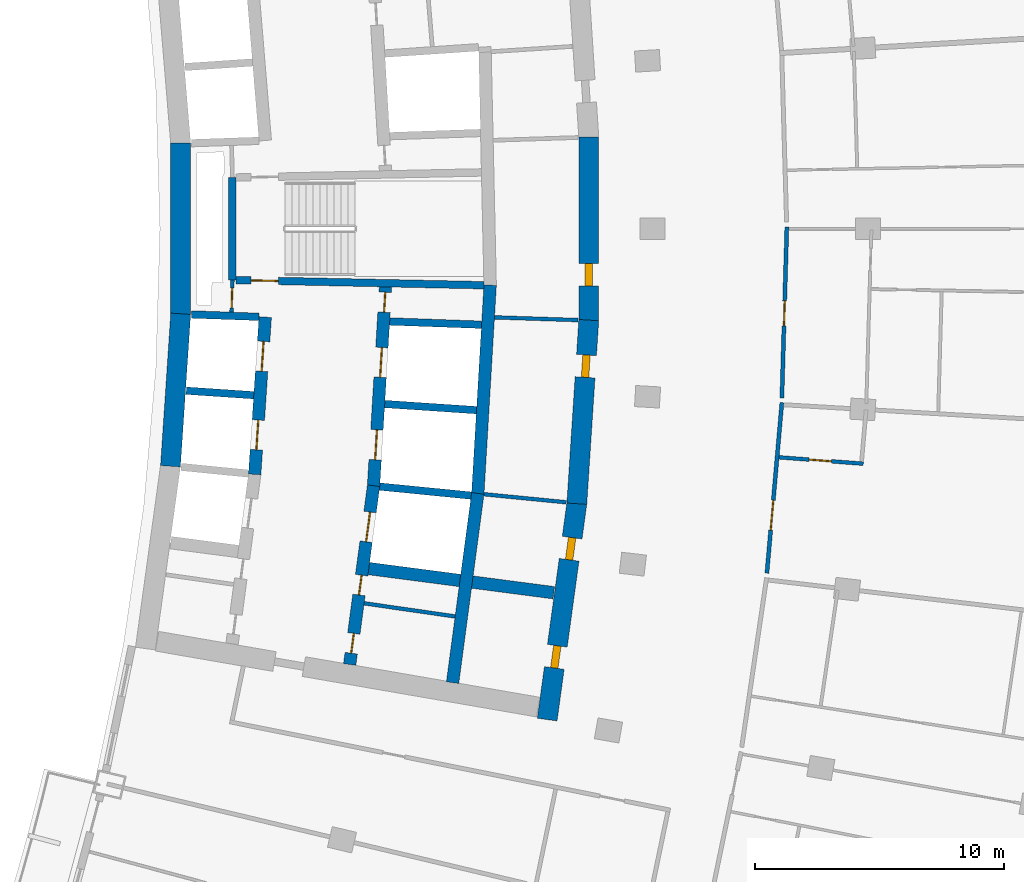
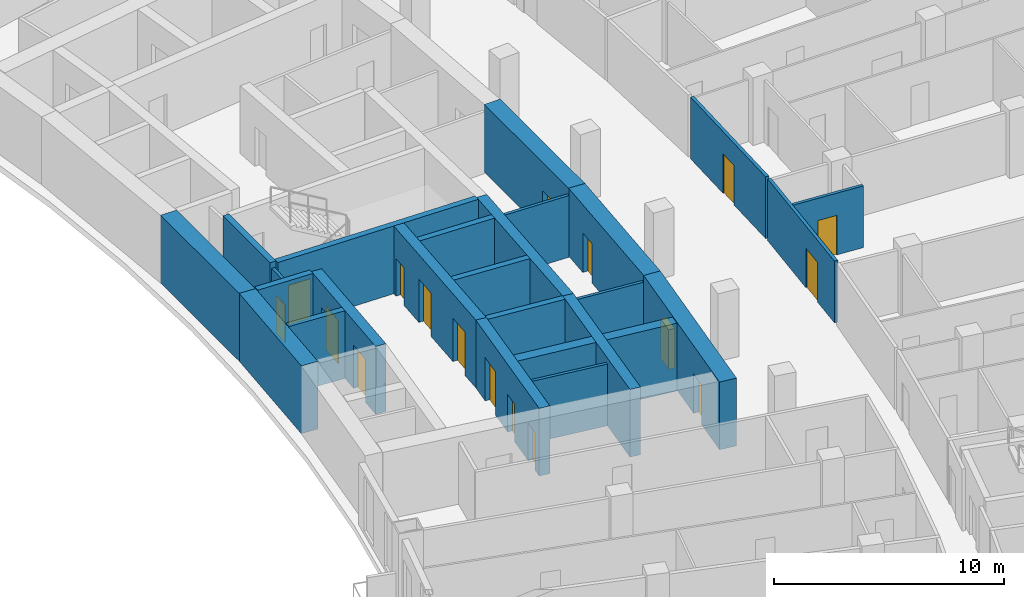
# One storey, part 16 of 25: 26 walls, 17 doors, 17 openings.
"""IFC4 building model written with IfcOpenShell, lengths in metres."""

from ifc_helpers import new_model, si_unit, direction, frame, frame_2d, origin, place, context, subcontext, project, spatial, rectangle, extrude, material, layer, layer_set, type_object, element, fill, save


model = new_model("IFC4")

# Units and contexts
model_context = context("Model", 3, precision=1e-05, world=origin(), true_north=direction((0.0, 1.0)))
body_context = subcontext(model_context, "Body", "Model", "MODEL_VIEW")
ifc_project = project(units=[si_unit("LENGTHUNIT", "METRE"), si_unit("AREAUNIT", "SQUARE_METRE"), si_unit("VOLUMEUNIT", "CUBIC_METRE"), si_unit("PLANEANGLEUNIT", "RADIAN"), si_unit("MASSUNIT", "GRAM", prefix="KILO")], contexts=[model_context])

# Site, building, storey
site_placement = place(None, origin())
site = spatial("IfcSite", under=ifc_project, at=site_placement, CompositionType="ELEMENT")
building_placement = place(site_placement, origin())
building = spatial("IfcBuilding", under=site, at=building_placement, Name="Alderwake Tower", CompositionType="ELEMENT")
storey_placement = place(building_placement, frame((0.0, 0.0, 86.0)))
storey = spatial("IfcBuildingStorey", under=building, at=storey_placement, Name="L20", CompositionType="ELEMENT", Elevation=86.0)

# Wall, opening, door
ifc_material_1 = material(Name="Gypsum shaft wall system, rated")
ifc_layer_1 = layer(ifc_material_1, 0.14990234375)
ifc_layer_set_1 = layer_set([ifc_layer_1], Name="Core room partition 150")
wall_type_1 = type_object("IfcWallType", Name="Core room partition 150", PredefinedType="PARTITIONING", material=ifc_layer_set_1)
wall_1_placement = place(storey_placement, frame((18.918701171875, 58.94384765625, 0.0), z_axis=(0.0, 0.0, 1.0), x_axis=(-0.027348257573, -0.999625966453, 0.0)))
wall_1 = element("IfcWall", 1, at=wall_1_placement, inside=storey, type_object=wall_type_1, Name="CW/L20/PA+24_-37", PredefinedType="PARTITIONING", context=body_context, shape_type="SweptSolid", body=[
    extrude(rectangle(XDim=1.29443359375, YDim=0.14990234375, at=frame_2d((0.647216796875, 0.0))), origin(), (0.0, 0.0, 1.0), 3.280029296875),
])
opening_1_placement = place(wall_1_placement, frame((0.322998046875, 0.0, 0.0)))
opening_1 = element("IfcOpeningElement", 2, at=opening_1_placement, cuts=wall_1, Name="Opening C004", PredefinedType="OPENING", context=body_context, shape_type="SweptSolid", body=[
    extrude(rectangle(XDim=0.800048828125, YDim=2.0, at=frame_2d((0.39990234375, 1.0))), frame((0.0, 0.0849609375, 0.0), z_axis=(0.0, -1.0, 0.0), x_axis=(1.0, 0.0, 0.0)), (0.0, 0.0, 1.0), 0.169921875),
])
ifc_material_2 = material(Name="Painted steel leaf, rated", Category="steel")
door_type_1 = type_object("IfcDoorType", Name="Riser access door 800", OperationType="SINGLE_SWING_LEFT", PredefinedType="DOOR", material=ifc_material_2)
door_1_placement = place(opening_1_placement, origin())
door_1 = element("IfcDoor", 3, at=door_1_placement, inside=storey, type_object=door_type_1, Name="Riser access door", OperationType="SINGLE_SWING_RIGHT", OverallHeight=2.0, OverallWidth=0.800048828125, PredefinedType="DOOR", context=body_context, shape_type="SweptSolid", body=[
    extrude(rectangle(XDim=0.800048828125, YDim=2.0, at=frame_2d((0.39990234375, 1.0))), frame((0.0, 0.02490234375, 0.0), z_axis=(0.0, -1.0, 0.0), x_axis=(1.0, 0.0, 0.0)), (0.0, 0.0, 1.0), 0.050048828125),
])
fill(opening_1, door_1)

# Walls
wall_2_placement = place(storey_placement, frame((24.212158203125, 45.9482421875, 0.0), z_axis=(0.0, 0.0, 1.0), x_axis=(0.989728979978, -0.142956448583, 0.0)))
element("IfcWall", 4, at=wall_2_placement, inside=storey, type_object=wall_type_1, Name="CW/L20/PR-150_+86", PredefinedType="PARTITIONING", context=body_context, shape_type="SweptSolid", body=[
    extrude(rectangle(XDim=3.695556640625, YDim=0.14990234375, at=frame_2d((1.84765625, 0.0))), origin(), (0.0, 0.0, 1.0), 3.280029296875),
])
wall_3_placement = place(storey_placement, frame((29.029296875, 50.331298828125, 0.0), z_axis=(0.0, 0.0, 1.0), x_axis=(0.995248248589, -0.097370034814, 0.0)))
element("IfcWall", 5, at=wall_3_placement, inside=storey, type_object=wall_type_1, Name="CW/L20/PR-102_+128", PredefinedType="PARTITIONING", context=body_context, shape_type="SweptSolid", body=[
    extrude(rectangle(XDim=3.31982421875, YDim=0.14990234375, at=frame_2d((1.659912109375, 0.0))), origin(), (0.0, 0.0, 1.0), 3.280029296875),
])
wall_4_placement = place(storey_placement, frame((29.45068359375, 57.440185546875, 0.0), z_axis=(0.0, 0.0, 1.0), x_axis=(0.999470404779, -0.0325408969, 0.0)))
element("IfcWall", 6, at=wall_4_placement, inside=storey, type_object=wall_type_1, Name="CW/L20/PR-34_+128", PredefinedType="PARTITIONING", context=body_context, shape_type="SweptSolid", body=[
    extrude(rectangle(XDim=3.361083984375, YDim=0.14990234375, at=frame_2d((1.6806640625, 0.0))), origin(), (0.0, 0.0, 1.0), 3.280029296875),
])
ifc_material_3 = material(Name="Concrete C70/85", Category="concrete")
ifc_layer_2 = layer(ifc_material_3, 0.800048828125)
ifc_layer_set_2 = layer_set([ifc_layer_2], Name="Core wall outer 800 C70-85")
wall_type_2 = type_object("IfcWallType", Name="Core wall outer 800 C70-85", PredefinedType="SHEAR", material=ifc_layer_set_2)
wall_5_placement = place(storey_placement, frame((16.429443359375, 51.45654296875, 0.0), z_axis=(0.0, 0.0, 1.0), x_axis=(0.066885651624, 0.997760647454, 0.0)))
element("IfcWall", 7, at=wall_5_placement, inside=storey, type_object=wall_type_2, Name="Core wall CW.041", PredefinedType="SHEAR", context=body_context, shape_type="SweptSolid", body=[
    extrude(rectangle(XDim=6.14306640625, YDim=0.800048828125, at=frame_2d((3.071533203125, 0.0))), origin(), (0.0, 0.0, 1.0), 3.60009765625),
])
wall_6_placement = place(storey_placement, frame((16.83935546875, 57.558349609375, 0.0), z_axis=(0.0, 0.0, 1.0), x_axis=(0.0, 1.0, 0.0)))
element("IfcWall", 8, at=wall_6_placement, inside=storey, type_object=wall_type_2, Name="Core wall CW.043", PredefinedType="SHEAR", context=body_context, shape_type="SweptSolid", body=[
    extrude(rectangle(XDim=6.886474609375, YDim=0.800048828125, at=frame_2d((3.443359375, 0.0))), origin(), (0.0, 0.0, 1.0), 3.60009765625),
])

# Wall, openings, doors
wall_7_placement = place(storey_placement, frame((32.763427734375, 49.980712890625, 0.0), z_axis=(0.0, 0.0, 1.0), x_axis=(-0.135838347444, -0.990731014637, 0.0)))
wall_7 = element("IfcWall", 9, at=wall_7_placement, inside=storey, type_object=wall_type_2, Name="Core wall CW.012", PredefinedType="SHEAR", context=body_context, shape_type="SweptSolid", body=[
    extrude(rectangle(XDim=8.788818359375, YDim=0.800048828125, at=frame_2d((4.39453125, 0.0))), origin(), (0.0, 0.0, 1.0), 3.60009765625),
])
opening_2_placement = place(wall_7_placement, frame((1.40576171875, 0.0, 0.0)))
opening_2 = element("IfcOpeningElement", 10, at=opening_2_placement, cuts=wall_7, Name="Opening C050", PredefinedType="OPENING", context=body_context, shape_type="SweptSolid", body=[
    extrude(rectangle(XDim=0.89990234375, YDim=2.10009765625, at=frame_2d((0.449951171875, 1.050048828125))), frame((0.0, 0.409912109375, 0.0), z_axis=(0.0, -1.0, 0.0), x_axis=(1.0, 0.0, 0.0)), (0.0, 0.0, 1.0), 0.820068359375),
])
opening_3_placement = place(wall_7_placement, frame((5.79345703125, 0.0, 0.0)))
opening_3 = element("IfcOpeningElement", 11, at=opening_3_placement, cuts=wall_7, Name="Opening C061", PredefinedType="OPENING", context=body_context, shape_type="SweptSolid", body=[
    extrude(rectangle(XDim=0.89990234375, YDim=2.10009765625, at=frame_2d((0.449951171875, 1.050048828125))), frame((0.0, 0.409912109375, 0.0), z_axis=(0.0, -1.0, 0.0), x_axis=(1.0, 0.0, 0.0)), (0.0, 0.0, 1.0), 0.820068359375),
])
ifc_material_4 = material(Name="Painted steel leaf", Category="steel")
door_type_2 = type_object("IfcDoorType", Name="Core room door 900", OperationType="SINGLE_SWING_LEFT", PredefinedType="DOOR", material=ifc_material_4)
door_2_placement = place(opening_2_placement, origin())
door_2 = element("IfcDoor", 12, at=door_2_placement, inside=storey, type_object=door_type_2, Name="Room door", OperationType="SINGLE_SWING_LEFT", OverallHeight=2.10009765625, OverallWidth=0.89990234375, PredefinedType="DOOR", context=body_context, shape_type="SweptSolid", body=[
    extrude(rectangle(XDim=0.89990234375, YDim=2.10009765625, at=frame_2d((0.449951171875, 1.050048828125))), frame((0.0, 0.14990234375, 0.0), z_axis=(0.0, -1.0, 0.0), x_axis=(1.0, 0.0, 0.0)), (0.0, 0.0, 1.0), 0.300048828125),
])
fill(opening_2, door_2)
door_3_placement = place(opening_3_placement, origin())
door_3 = element("IfcDoor", 13, at=door_3_placement, inside=storey, type_object=door_type_2, Name="Room door", OperationType="SINGLE_SWING_RIGHT", OverallHeight=2.10009765625, OverallWidth=0.89990234375, PredefinedType="DOOR", context=body_context, shape_type="SweptSolid", body=[
    extrude(rectangle(XDim=0.89990234375, YDim=2.10009765625, at=frame_2d((0.449951171875, 1.050048828125))), frame((0.0, 0.14990234375, 0.0), z_axis=(0.0, -1.0, 0.0), x_axis=(1.0, 0.0, 0.0)), (0.0, 0.0, 1.0), 0.300048828125),
])
fill(opening_3, door_3)

# Wall, opening, door
wall_8_placement = place(storey_placement, frame((33.240966796875, 57.330322265625, 0.0), z_axis=(0.0, 0.0, 1.0), x_axis=(-0.064976219143, -0.997886812693, 0.0)))
wall_8 = element("IfcWall", 14, at=wall_8_placement, inside=storey, type_object=wall_type_2, Name="Core wall CW.011", PredefinedType="SHEAR", context=body_context, shape_type="SweptSolid", body=[
    extrude(rectangle(XDim=7.39453125, YDim=0.800048828125, at=frame_2d((3.697265625, 0.0))), origin(), (0.0, 0.0, 1.0), 3.60009765625),
])
opening_4_placement = place(wall_8_placement, frame((1.40478515625, 0.0, 0.0)))
opening_4 = element("IfcOpeningElement", 15, at=opening_4_placement, cuts=wall_8, Name="Opening C026", PredefinedType="OPENING", context=body_context, shape_type="SweptSolid", body=[
    extrude(rectangle(XDim=0.89990234375, YDim=2.10009765625, at=frame_2d((0.449951171875, 1.050048828125))), frame((0.0, 0.409912109375, 0.0), z_axis=(0.0, -1.0, 0.0), x_axis=(1.0, 0.0, 0.0)), (0.0, 0.0, 1.0), 0.820068359375),
])
door_4_placement = place(opening_4_placement, origin())
door_4 = element("IfcDoor", 16, at=door_4_placement, inside=storey, type_object=door_type_2, Name="Room door", OperationType="SINGLE_SWING_RIGHT", OverallHeight=2.10009765625, OverallWidth=0.89990234375, PredefinedType="DOOR", context=body_context, shape_type="SweptSolid", body=[
    extrude(rectangle(XDim=0.89990234375, YDim=2.10009765625, at=frame_2d((0.449951171875, 1.050048828125))), frame((0.0, 0.14990234375, 0.0), z_axis=(0.0, -1.0, 0.0), x_axis=(1.0, 0.0, 0.0)), (0.0, 0.0, 1.0), 0.300048828125),
])
fill(opening_4, door_4)

wall_9_placement = place(storey_placement, frame((33.239990234375, 64.69677734375, 0.0), z_axis=(0.0, 0.0, 1.0), x_axis=(0.0, -1.0, 0.0)))
wall_9 = element("IfcWall", 17, at=wall_9_placement, inside=storey, type_object=wall_type_2, Name="Core wall CW.013", PredefinedType="SHEAR", context=body_context, shape_type="SweptSolid", body=[
    extrude(rectangle(XDim=7.3935546875, YDim=0.800048828125, at=frame_2d((3.69677734375, 0.0))), origin(), (0.0, 0.0, 1.0), 3.60009765625),
])
opening_5_placement = place(wall_9_placement, frame((5.08837890625, 0.0, 0.0)))
opening_5 = element("IfcOpeningElement", 18, at=opening_5_placement, cuts=wall_9, Name="Opening C030", PredefinedType="OPENING", context=body_context, shape_type="SweptSolid", body=[
    extrude(rectangle(XDim=0.89990234375, YDim=2.10009765625, at=frame_2d((0.449951171875, 1.050048828125))), frame((0.0, 0.409912109375, 0.0), z_axis=(0.0, -1.0, 0.0), x_axis=(1.0, 0.0, 0.0)), (0.0, 0.0, 1.0), 0.820068359375),
])
door_5_placement = place(opening_5_placement, origin())
door_5 = element("IfcDoor", 19, at=door_5_placement, inside=storey, type_object=door_type_2, Name="Room door", OperationType="SINGLE_SWING_LEFT", OverallHeight=2.10009765625, OverallWidth=0.89990234375, PredefinedType="DOOR", context=body_context, shape_type="SweptSolid", body=[
    extrude(rectangle(XDim=0.89990234375, YDim=2.10009765625, at=frame_2d((0.449951171875, 1.050048828125))), frame((0.0, 0.14990234375, 0.0), z_axis=(0.0, -1.0, 0.0), x_axis=(1.0, 0.0, 0.0)), (0.0, 0.0, 1.0), 0.300048828125),
])
fill(opening_5, door_5)

# Walls
ifc_material_5 = material(Name="Concrete C70/85", Category="concrete")
ifc_layer_3 = layer(ifc_material_5, 0.300048828125)
ifc_layer_set_3 = layer_set([ifc_layer_3], Name="Core wall shaft 300 C70-85")
wall_type_3 = type_object("IfcWallType", Name="Core wall shaft 300 C70-85", PredefinedType="SHEAR", material=ifc_layer_set_3)
wall_10_placement = place(storey_placement, frame((24.839599609375, 50.64013671875, 0.0), z_axis=(0.0, 0.0, 1.0), x_axis=(0.995150987401, -0.098359098589, 0.0)))
element("IfcWall", 20, at=wall_10_placement, inside=storey, type_object=wall_type_3, Name="Core wall CW.066", PredefinedType="SHEAR", context=body_context, shape_type="SweptSolid", body=[
    extrude(rectangle(XDim=3.69580078125, YDim=0.300048828125, at=frame_2d((1.847900390625, 0.0))), origin(), (0.0, 0.0, 1.0), 3.60009765625),
])
wall_11_placement = place(storey_placement, frame((17.06396484375, 54.492919921875, 0.0), z_axis=(0.0, 0.0, 1.0), x_axis=(0.997758851023, -0.066912444326, 0.0)))
element("IfcWall", 21, at=wall_11_placement, inside=storey, type_object=wall_type_3, Name="Core wall CW.079", PredefinedType="SHEAR", context=body_context, shape_type="SweptSolid", body=[
    extrude(rectangle(XDim=2.71826171875, YDim=0.300048828125, at=frame_2d((1.359130859375, 0.0))), origin(), (0.0, 0.0, 1.0), 3.60009765625),
])
wall_12_placement = place(storey_placement, frame((25.0400390625, 53.9580078125, 0.0), z_axis=(0.0, 0.0, 1.0), x_axis=(0.997759957359, -0.066895945251, 0.0)))
element("IfcWall", 22, at=wall_12_placement, inside=storey, type_object=wall_type_3, Name="Core wall CW.080", PredefinedType="SHEAR", context=body_context, shape_type="SweptSolid", body=[
    extrude(rectangle(XDim=3.697021484375, YDim=0.300048828125, at=frame_2d((1.8486328125, 0.0))), origin(), (0.0, 0.0, 1.0), 3.60009765625),
])
wall_13_placement = place(storey_placement, frame((17.269287109375, 57.556884765625, 0.0), z_axis=(0.0, 0.0, 1.0), x_axis=(0.999374351644, -0.035368139275, 0.0)))
element("IfcWall", 23, at=wall_13_placement, inside=storey, type_object=wall_type_3, Name="Core wall CW.076", PredefinedType="SHEAR", context=body_context, shape_type="SweptSolid", body=[
    extrude(rectangle(XDim=2.7197265625, YDim=0.300048828125, at=frame_2d((1.35986328125, 0.0))), origin(), (0.0, 0.0, 1.0), 3.60009765625),
])
wall_14_placement = place(storey_placement, frame((25.240478515625, 57.27490234375, 0.0), z_axis=(0.0, 0.0, 1.0), x_axis=(0.999372332678, -0.035425141877, 0.0)))
element("IfcWall", 24, at=wall_14_placement, inside=storey, type_object=wall_type_3, Name="Core wall CW.077", PredefinedType="SHEAR", context=body_context, shape_type="SweptSolid", body=[
    extrude(rectangle(XDim=3.69384765625, YDim=0.300048828125, at=frame_2d((1.846923828125, 0.0))), origin(), (0.0, 0.0, 1.0), 3.60009765625),
])

# Wall, openings, doors
ifc_material_6 = material(Name="Concrete C70/85", Category="concrete")
ifc_layer_4 = layer(ifc_material_6, 0.5)
ifc_layer_set_4 = layer_set([ifc_layer_4], Name="Core wall spine 500 C70-85")
wall_type_4 = type_object("IfcWallType", Name="Core wall spine 500 C70-85", PredefinedType="SHEAR", material=ifc_layer_set_4)
wall_15_placement = place(storey_placement, frame((19.813232421875, 51.1279296875, 0.0), z_axis=(0.0, 0.0, 1.0), x_axis=(0.066907604831, 0.997759175561, 0.0)))
wall_15 = element("IfcWall", 25, at=wall_15_placement, inside=storey, type_object=wall_type_4, Name="Core wall CW.032", PredefinedType="SHEAR", context=body_context, shape_type="SweptSolid", body=[
    extrude(rectangle(XDim=6.338134765625, YDim=0.5, at=frame_2d((3.1689453125, 0.0))), origin(), (0.0, 0.0, 1.0), 3.60009765625),
])
opening_6_placement = place(wall_15_placement, frame((0.990966796875, 0.0, 0.0)))
opening_6 = element("IfcOpeningElement", 26, at=opening_6_placement, cuts=wall_15, Name="Opening LD-LP2", PredefinedType="OPENING", context=body_context, shape_type="SweptSolid", body=[
    extrude(rectangle(XDim=1.199951171875, YDim=2.300048828125, at=frame_2d((0.60009765625, 1.14990234375))), frame((0.0, 0.260009765625, 0.0), z_axis=(0.0, -1.0, 0.0), x_axis=(1.0, 0.0, 0.0)), (0.0, 0.0, 1.0), 0.52001953125),
])
opening_7_placement = place(wall_15_placement, frame((4.156005859375, 0.0, 0.0)))
opening_7 = element("IfcOpeningElement", 27, at=opening_7_placement, cuts=wall_15, Name="Opening LD-LP3", PredefinedType="OPENING", context=body_context, shape_type="SweptSolid", body=[
    extrude(rectangle(XDim=1.199951171875, YDim=2.300048828125, at=frame_2d((0.60009765625, 1.14990234375))), frame((0.0, 0.260009765625, 0.0), z_axis=(0.0, -1.0, 0.0), x_axis=(1.0, 0.0, 0.0)), (0.0, 0.0, 1.0), 0.52001953125),
])
ifc_material_7 = material(Name="Stainless steel sliding leaf", Category="steel")
door_type_3 = type_object("IfcDoorType", Name="Lift landing door 1200", OperationType="SLIDING_TO_LEFT", PredefinedType="DOOR", material=ifc_material_7)
door_6_placement = place(opening_6_placement, origin())
door_6 = element("IfcDoor", 28, at=door_6_placement, inside=storey, type_object=door_type_3, Name="Lift landing door LP2", OperationType="SLIDING_TO_LEFT", OverallHeight=2.300048828125, OverallWidth=1.199951171875, PredefinedType="DOOR", context=body_context, shape_type="SweptSolid", body=[
    extrude(rectangle(XDim=1.199951171875, YDim=2.300048828125, at=frame_2d((0.60009765625, 1.14990234375))), frame((0.0, 0.02490234375, 0.0), z_axis=(0.0, -1.0, 0.0), x_axis=(1.0, 0.0, 0.0)), (0.0, 0.0, 1.0), 0.050048828125),
])
fill(opening_6, door_6)
door_7_placement = place(opening_7_placement, origin())
door_7 = element("IfcDoor", 29, at=door_7_placement, inside=storey, type_object=door_type_3, Name="Lift landing door LP3", OperationType="SLIDING_TO_LEFT", OverallHeight=2.300048828125, OverallWidth=1.199951171875, PredefinedType="DOOR", context=body_context, shape_type="SweptSolid", body=[
    extrude(rectangle(XDim=1.199951171875, YDim=2.300048828125, at=frame_2d((0.60009765625, 1.14990234375))), frame((0.0, 0.02490234375, 0.0), z_axis=(0.0, -1.0, 0.0), x_axis=(1.0, 0.0, 0.0)), (0.0, 0.0, 1.0), 0.050048828125),
])
fill(opening_7, door_7)

wall_16_placement = place(storey_placement, frame((23.631103515625, 43.489501953125, 0.0), z_axis=(0.0, 0.0, 1.0), x_axis=(0.132532135635, 0.991178708924, 0.0)))
wall_16 = element("IfcWall", 30, at=wall_16_placement, inside=storey, type_object=wall_type_4, Name="Core wall CW.047", PredefinedType="SHEAR", context=body_context, shape_type="SweptSolid", body=[
    extrude(rectangle(XDim=7.248779296875, YDim=0.5, at=frame_2d((3.62451171875, 0.0))), origin(), (0.0, 0.0, 1.0), 3.60009765625),
])
opening_8_placement = place(wall_16_placement, frame((4.981201171875, 0.0, 0.0)))
opening_8 = element("IfcOpeningElement", 31, at=opening_8_placement, cuts=wall_16, Name="Opening LD-LP4", PredefinedType="OPENING", context=body_context, shape_type="SweptSolid", body=[
    extrude(rectangle(XDim=1.199951171875, YDim=2.300048828125, at=frame_2d((0.60009765625, 1.14990234375))), frame((0.0, 0.260009765625, 0.0), z_axis=(0.0, -1.0, 0.0), x_axis=(1.0, 0.0, 0.0)), (0.0, 0.0, 1.0), 0.52001953125),
])
opening_9_placement = place(wall_16_placement, frame((0.4580078125, 0.0, 0.0)))
opening_9 = element("IfcOpeningElement", 32, at=opening_9_placement, cuts=wall_16, Name="Opening C015", PredefinedType="OPENING", context=body_context, shape_type="SweptSolid", body=[
    extrude(rectangle(XDim=0.800048828125, YDim=2.0, at=frame_2d((0.39990234375, 1.0))), frame((0.0, 0.260009765625, 0.0), z_axis=(0.0, -1.0, 0.0), x_axis=(1.0, 0.0, 0.0)), (0.0, 0.0, 1.0), 0.52001953125),
])
opening_10_placement = place(wall_16_placement, frame((2.819580078125, 0.0, 0.0)))
opening_10 = element("IfcOpeningElement", 33, at=opening_10_placement, cuts=wall_16, Name="Opening C019", PredefinedType="OPENING", context=body_context, shape_type="SweptSolid", body=[
    extrude(rectangle(XDim=0.800048828125, YDim=2.0, at=frame_2d((0.39990234375, 1.0))), frame((0.0, 0.260009765625, 0.0), z_axis=(0.0, -1.0, 0.0), x_axis=(1.0, 0.0, 0.0)), (0.0, 0.0, 1.0), 0.52001953125),
])
door_8_placement = place(opening_8_placement, origin())
door_8 = element("IfcDoor", 34, at=door_8_placement, inside=storey, type_object=door_type_3, Name="Lift landing door LP4", OperationType="SLIDING_TO_LEFT", OverallHeight=2.300048828125, OverallWidth=1.199951171875, PredefinedType="DOOR", context=body_context, shape_type="SweptSolid", body=[
    extrude(rectangle(XDim=1.199951171875, YDim=2.300048828125, at=frame_2d((0.60009765625, 1.14990234375))), frame((0.0, 0.02490234375, 0.0), z_axis=(0.0, -1.0, 0.0), x_axis=(1.0, 0.0, 0.0)), (0.0, 0.0, 1.0), 0.050048828125),
])
fill(opening_8, door_8)
door_9_placement = place(opening_9_placement, origin())
door_9 = element("IfcDoor", 35, at=door_9_placement, inside=storey, type_object=door_type_1, Name="Riser access door", OperationType="SINGLE_SWING_LEFT", OverallHeight=2.0, OverallWidth=0.800048828125, PredefinedType="DOOR", context=body_context, shape_type="SweptSolid", body=[
    extrude(rectangle(XDim=0.800048828125, YDim=2.0, at=frame_2d((0.39990234375, 1.0))), frame((0.0, 0.02490234375, 0.0), z_axis=(0.0, -1.0, 0.0), x_axis=(1.0, 0.0, 0.0)), (0.0, 0.0, 1.0), 0.050048828125),
])
fill(opening_9, door_9)
door_10_placement = place(opening_10_placement, origin())
door_10 = element("IfcDoor", 36, at=door_10_placement, inside=storey, type_object=door_type_1, Name="Riser access door", OperationType="SINGLE_SWING_RIGHT", OverallHeight=2.0, OverallWidth=0.800048828125, PredefinedType="DOOR", context=body_context, shape_type="SweptSolid", body=[
    extrude(rectangle(XDim=0.800048828125, YDim=2.0, at=frame_2d((0.39990234375, 1.0))), frame((0.0, 0.02490234375, 0.0), z_axis=(0.0, -1.0, 0.0), x_axis=(1.0, 0.0, 0.0)), (0.0, 0.0, 1.0), 0.050048828125),
])
fill(opening_10, door_10)

wall_17_placement = place(storey_placement, frame((24.590087890625, 50.655029296875, 0.0), z_axis=(0.0, 0.0, 1.0), x_axis=(0.060305817737, 0.998179947879, 0.0)))
wall_17 = element("IfcWall", 37, at=wall_17_placement, inside=storey, type_object=wall_type_4, Name="Core wall CW.046", PredefinedType="SHEAR", context=body_context, shape_type="SweptSolid", body=[
    extrude(rectangle(XDim=8.02392578125, YDim=0.5, at=frame_2d((4.011962890625, 0.0))), origin(), (0.0, 0.0, 1.0), 3.60009765625),
])
opening_11_placement = place(wall_17_placement, frame((1.067138671875, 0.0, 0.0)))
opening_11 = element("IfcOpeningElement", 38, at=opening_11_placement, cuts=wall_17, Name="Opening LD-LP5", PredefinedType="OPENING", context=body_context, shape_type="SweptSolid", body=[
    extrude(rectangle(XDim=1.199951171875, YDim=2.300048828125, at=frame_2d((0.60009765625, 1.14990234375))), frame((0.0, 0.260009765625, 0.0), z_axis=(0.0, -1.0, 0.0), x_axis=(1.0, 0.0, 0.0)), (0.0, 0.0, 1.0), 0.52001953125),
])
opening_12_placement = place(wall_17_placement, frame((4.383544921875, 0.0, 0.0)))
opening_12 = element("IfcOpeningElement", 39, at=opening_12_placement, cuts=wall_17, Name="Opening LD-LP6", PredefinedType="OPENING", context=body_context, shape_type="SweptSolid", body=[
    extrude(rectangle(XDim=1.199951171875, YDim=2.300048828125, at=frame_2d((0.60009765625, 1.14990234375))), frame((0.0, 0.260009765625, 0.0), z_axis=(0.0, -1.0, 0.0), x_axis=(1.0, 0.0, 0.0)), (0.0, 0.0, 1.0), 0.52001953125),
])
opening_13_placement = place(wall_17_placement, frame((7.0078125, 0.0, 0.0)))
opening_13 = element("IfcOpeningElement", 40, at=opening_13_placement, cuts=wall_17, Name="Opening C006", PredefinedType="OPENING", context=body_context, shape_type="SweptSolid", body=[
    extrude(rectangle(XDim=0.800048828125, YDim=2.0, at=frame_2d((0.39990234375, 1.0))), frame((0.0, 0.260009765625, 0.0), z_axis=(0.0, -1.0, 0.0), x_axis=(1.0, 0.0, 0.0)), (0.0, 0.0, 1.0), 0.52001953125),
])
door_11_placement = place(opening_11_placement, origin())
door_11 = element("IfcDoor", 41, at=door_11_placement, inside=storey, type_object=door_type_3, Name="Lift landing door LP5", OperationType="SLIDING_TO_LEFT", OverallHeight=2.300048828125, OverallWidth=1.199951171875, PredefinedType="DOOR", context=body_context, shape_type="SweptSolid", body=[
    extrude(rectangle(XDim=1.199951171875, YDim=2.300048828125, at=frame_2d((0.60009765625, 1.14990234375))), frame((0.0, 0.02490234375, 0.0), z_axis=(0.0, -1.0, 0.0), x_axis=(1.0, 0.0, 0.0)), (0.0, 0.0, 1.0), 0.050048828125),
])
fill(opening_11, door_11)
door_12_placement = place(opening_12_placement, origin())
door_12 = element("IfcDoor", 42, at=door_12_placement, inside=storey, type_object=door_type_3, Name="Lift landing door LP6", OperationType="SLIDING_TO_LEFT", OverallHeight=2.300048828125, OverallWidth=1.199951171875, PredefinedType="DOOR", context=body_context, shape_type="SweptSolid", body=[
    extrude(rectangle(XDim=1.199951171875, YDim=2.300048828125, at=frame_2d((0.60009765625, 1.14990234375))), frame((0.0, 0.02490234375, 0.0), z_axis=(0.0, -1.0, 0.0), x_axis=(1.0, 0.0, 0.0)), (0.0, 0.0, 1.0), 0.050048828125),
])
fill(opening_12, door_12)
door_13_placement = place(opening_13_placement, origin())
door_13 = element("IfcDoor", 43, at=door_13_placement, inside=storey, type_object=door_type_1, Name="Riser access door", OperationType="SINGLE_SWING_RIGHT", OverallHeight=2.0, OverallWidth=0.800048828125, PredefinedType="DOOR", context=body_context, shape_type="SweptSolid", body=[
    extrude(rectangle(XDim=0.800048828125, YDim=2.0, at=frame_2d((0.39990234375, 1.0))), frame((0.0, 0.02490234375, 0.0), z_axis=(0.0, -1.0, 0.0), x_axis=(1.0, 0.0, 0.0)), (0.0, 0.0, 1.0), 0.050048828125),
])
fill(opening_13, door_13)

# Walls
wall_18_placement = place(storey_placement, frame((27.76708984375, 42.75830078125, 0.0), z_axis=(0.0, 0.0, 1.0), x_axis=(0.132213731211, 0.991221231249, 0.0)))
element("IfcWall", 44, at=wall_18_placement, inside=storey, type_object=wall_type_4, Name="Core wall CW.006", PredefinedType="SHEAR", context=body_context, shape_type="SweptSolid", body=[
    extrude(rectangle(XDim=7.67431640625, YDim=0.5, at=frame_2d((3.837158203125, 0.0))), origin(), (0.0, 0.0, 1.0), 3.60009765625),
])
wall_19_placement = place(storey_placement, frame((28.77978515625, 50.345947265625, 0.0), z_axis=(0.0, 0.0, 1.0), x_axis=(0.059159556477, 0.998248539632, 0.0)))
element("IfcWall", 45, at=wall_19_placement, inside=storey, type_object=wall_type_4, Name="Core wall CW.004", PredefinedType="SHEAR", context=body_context, shape_type="SweptSolid", body=[
    extrude(rectangle(XDim=8.40625, YDim=0.5, at=frame_2d((4.203125, 0.0))), origin(), (0.0, 0.0, 1.0), 3.60009765625),
])
wall_20_placement = place(storey_placement, frame((24.39892578125, 47.345458984375, 0.0), z_axis=(0.0, 0.0, 1.0), x_axis=(0.991553185565, -0.129700733209, 0.0)))
element("IfcWall", 46, at=wall_20_placement, inside=storey, type_object=wall_type_4, Name="Core wall CW.069", PredefinedType="SHEAR", context=body_context, shape_type="SweptSolid", body=[
    extrude(rectangle(XDim=3.695068359375, YDim=0.5, at=frame_2d((1.84765625, 0.0))), origin(), (0.0, 0.0, 1.0), 3.60009765625),
])
wall_21_placement = place(storey_placement, frame((28.55859375, 46.80126953125, 0.0), z_axis=(0.0, 0.0, 1.0), x_axis=(0.991555852521, -0.129680342885, 0.0)))
element("IfcWall", 47, at=wall_21_placement, inside=storey, type_object=wall_type_4, Name="Core wall CW.068", PredefinedType="SHEAR", context=body_context, shape_type="SweptSolid", body=[
    extrude(rectangle(XDim=3.303955078125, YDim=0.5, at=frame_2d((1.65185546875, 0.0))), origin(), (0.0, 0.0, 1.0), 3.60009765625),
])
ifc_material_8 = material(Name="Concrete C70/85", Category="concrete")
ifc_layer_5 = layer(ifc_material_8, 0.300048828125)
ifc_layer_set_5 = layer_set([ifc_layer_5], Name="Core wall stair enclosure 300 C70-85")
wall_type_5 = type_object("IfcWallType", Name="Core wall stair enclosure 300 C70-85", PredefinedType="SHEAR", material=ifc_layer_set_5)
wall_22_placement = place(storey_placement, frame((18.918701171875, 58.94091796875, 0.0), z_axis=(0.0, 0.0, 1.0), x_axis=(0.0, 1.0, 0.0)))
element("IfcWall", 48, at=wall_22_placement, inside=storey, type_object=wall_type_5, Name="Core wall CW.024", PredefinedType="SHEAR", context=body_context, shape_type="SweptSolid", body=[
    extrude(rectangle(XDim=4.119384765625, YDim=0.300048828125, at=frame_2d((2.0595703125, 0.0))), origin(), (0.0, 0.0, 1.0), 3.60009765625),
])

# Wall, opening, door
wall_23_placement = place(storey_placement, frame((29.026123046875, 58.73193359375, 0.0), z_axis=(0.0, 0.0, 1.0), x_axis=(-0.999783418156, 0.020811457903, 0.0)))
wall_23 = element("IfcWall", 49, at=wall_23_placement, inside=storey, type_object=wall_type_5, Name="Core wall CW.074", PredefinedType="SHEAR", context=body_context, shape_type="SweptSolid", body=[
    extrude(rectangle(XDim=9.959716796875, YDim=0.300048828125, at=frame_2d((4.97998046875, 0.0))), origin(), (0.0, 0.0, 1.0), 3.60009765625),
])
opening_14_placement = place(wall_23_placement, frame((8.259765625, 0.0, 0.0)))
opening_14 = element("IfcOpeningElement", 50, at=opening_14_placement, cuts=wall_23, Name="Opening C063", PredefinedType="OPENING", context=body_context, shape_type="SweptSolid", body=[
    extrude(rectangle(XDim=1.10009765625, YDim=2.10009765625, at=frame_2d((0.550048828125, 1.050048828125))), frame((0.0, 0.159912109375, 0.0), z_axis=(0.0, -1.0, 0.0), x_axis=(1.0, 0.0, 0.0)), (0.0, 0.0, 1.0), 0.320068359375),
])
ifc_material_9 = material(Name="Steel-framed fire door leaf", Category="steel")
door_type_4 = type_object("IfcDoorType", Name="Core stair door 1100 fire-rated", OperationType="SINGLE_SWING_LEFT", PredefinedType="DOOR", material=ifc_material_9)
door_14_placement = place(opening_14_placement, origin())
door_14 = element("IfcDoor", 51, at=door_14_placement, inside=storey, type_object=door_type_4, Name="Stair door", OperationType="SINGLE_SWING_RIGHT", OverallHeight=2.10009765625, OverallWidth=1.10009765625, PredefinedType="DOOR", context=body_context, shape_type="SweptSolid", body=[
    extrude(rectangle(XDim=1.10009765625, YDim=2.10009765625, at=frame_2d((0.550048828125, 1.050048828125))), frame((0.0, 0.02490234375, 0.0), z_axis=(0.0, -1.0, 0.0), x_axis=(1.0, 0.0, 0.0)), (0.0, 0.0, 1.0), 0.050048828125),
])
fill(opening_14, door_14)

ifc_material_10 = material(Name="Gypsum board on metal studs, rated")
ifc_layer_6 = layer(ifc_material_10, 0.159912109375)
ifc_layer_set_6 = layer_set([ifc_layer_6], Name="Corridor wall 160")
wall_type_6 = type_object("IfcWallType", Name="Corridor wall 160", PredefinedType="PARTITIONING", material=ifc_layer_set_6)
wall_24_placement = place(storey_placement, frame((41.001953125, 54.013671875, 0.0), z_axis=(0.0, 0.0, 1.0), x_axis=(-0.087419573149, -0.996171580718, 0.0)))
wall_24 = element("IfcWall", 52, at=wall_24_placement, inside=storey, type_object=wall_type_6, Name="WL/L20/W36", PredefinedType="PARTITIONING", context=body_context, shape_type="SweptSolid", body=[
    extrude(rectangle(XDim=6.88134765625, YDim=0.159912109375, at=frame_2d((3.440673828125, 0.0))), origin(), (0.0, 0.0, 1.0), 3.280029296875),
])
opening_15_placement = place(wall_24_placement, frame((3.941162109375, 0.0, 0.0)))
opening_15 = element("IfcOpeningElement", 53, at=opening_15_placement, cuts=wall_24, Name="Opening R05-AM1.1", PredefinedType="OPENING", context=body_context, shape_type="SweptSolid", body=[
    extrude(rectangle(XDim=1.199951171875, YDim=2.10009765625, at=frame_2d((0.60009765625, 1.050048828125))), frame((0.0, 0.08984375, 0.0), z_axis=(0.0, -1.0, 0.0), x_axis=(1.0, 0.0, 0.0)), (0.0, 0.0, 1.0), 0.179931640625),
])
ifc_material_11 = material(Name="Steel-framed fire door leaf", Category="steel")
door_type_5 = type_object("IfcDoorType", Name="Lobby door 1200 fire-rated", OperationType="SINGLE_SWING_LEFT", PredefinedType="DOOR", material=ifc_material_11)
door_15_placement = place(opening_15_placement, origin())
door_15 = element("IfcDoor", 54, at=door_15_placement, inside=storey, type_object=door_type_5, Name="DR/L20/AM1.1", OperationType="SINGLE_SWING_LEFT", OverallHeight=2.10009765625, OverallWidth=1.199951171875, PredefinedType="DOOR", context=body_context, shape_type="SweptSolid", body=[
    extrude(rectangle(XDim=1.199951171875, YDim=2.10009765625, at=frame_2d((0.60009765625, 1.050048828125))), frame((0.0, 0.02490234375, 0.0), z_axis=(0.0, -1.0, 0.0), x_axis=(1.0, 0.0, 0.0)), (0.0, 0.0, 1.0), 0.050048828125),
])
fill(opening_15, door_15)

wall_25_placement = place(storey_placement, frame((41.201416015625, 61.0791015625, 0.0), z_axis=(0.0, 0.0, 1.0), x_axis=(-0.028879835058, -0.999582890573, 0.0)))
wall_25 = element("IfcWall", 55, at=wall_25_placement, inside=storey, type_object=wall_type_6, Name="WL/L20/W38", PredefinedType="PARTITIONING", context=body_context, shape_type="SweptSolid", body=[
    extrude(rectangle(XDim=6.88134765625, YDim=0.159912109375, at=frame_2d((3.440673828125, 0.0))), origin(), (0.0, 0.0, 1.0), 3.280029296875),
])
opening_16_placement = place(wall_25_placement, frame((2.97998046875, 0.0, 0.0)))
opening_16 = element("IfcOpeningElement", 56, at=opening_16_placement, cuts=wall_25, Name="Opening R05-U06.2", PredefinedType="OPENING", context=body_context, shape_type="SweptSolid", body=[
    extrude(rectangle(XDim=1.0, YDim=2.10009765625, at=frame_2d((0.5, 1.050048828125))), frame((0.0, 0.08984375, 0.0), z_axis=(0.0, -1.0, 0.0), x_axis=(1.0, 0.0, 0.0)), (0.0, 0.0, 1.0), 0.179931640625),
])
ifc_material_12 = material(Name="Solid timber leaf in steel frame", Category="steel")
door_type_6 = type_object("IfcDoorType", Name="Flat entrance door 1000 fire-rated", OperationType="SINGLE_SWING_LEFT", PredefinedType="DOOR", material=ifc_material_12)
door_16_placement = place(opening_16_placement, origin())
door_16 = element("IfcDoor", 57, at=door_16_placement, inside=storey, type_object=door_type_6, Name="DR/L20/U06.2", OperationType="SINGLE_SWING_LEFT", OverallHeight=2.10009765625, OverallWidth=1.0, PredefinedType="DOOR", context=body_context, shape_type="SweptSolid", body=[
    extrude(rectangle(XDim=1.0, YDim=2.10009765625, at=frame_2d((0.5, 1.050048828125))), frame((0.0, 0.02490234375, 0.0), z_axis=(0.0, -1.0, 0.0), x_axis=(1.0, 0.0, 0.0)), (0.0, 0.0, 1.0), 0.050048828125),
])
fill(opening_16, door_16)

ifc_material_13 = material(Name="Gypsum shaft wall system, rated")
ifc_layer_7 = layer(ifc_material_13, 0.14990234375)
ifc_layer_set_7 = layer_set([ifc_layer_7], Name="Riser and shaft wall 150")
wall_type_7 = type_object("IfcWallType", Name="Riser and shaft wall 150", PredefinedType="PARTITIONING", material=ifc_layer_set_7)
wall_26_placement = place(storey_placement, frame((40.888916015625, 51.81591796875, 0.0), z_axis=(0.0, 0.0, 1.0), x_axis=(0.997117185658, -0.075876992994, 0.0)))
wall_26 = element("IfcWall", 58, at=wall_26_placement, inside=storey, type_object=wall_type_7, Name="WL/L20/W13", PredefinedType="PARTITIONING", context=body_context, shape_type="SweptSolid", body=[
    extrude(rectangle(XDim=3.39453125, YDim=0.14990234375, at=frame_2d((1.697265625, 0.0))), origin(), (0.0, 0.0, 1.0), 3.280029296875),
])
opening_17_placement = place(wall_26_placement, frame((1.209228515625, 0.0, 0.0)))
opening_17 = element("IfcOpeningElement", 59, at=opening_17_placement, cuts=wall_26, Name="Opening R05-AM1.2", PredefinedType="OPENING", context=body_context, shape_type="SweptSolid", body=[
    extrude(rectangle(XDim=0.89990234375, YDim=2.10009765625, at=frame_2d((0.449951171875, 1.050048828125))), frame((0.0, 0.0849609375, 0.0), z_axis=(0.0, -1.0, 0.0), x_axis=(1.0, 0.0, 0.0)), (0.0, 0.0, 1.0), 0.169921875),
])
ifc_material_14 = material(Name="Painted timber leaf", Category="wood")
door_type_7 = type_object("IfcDoorType", Name="Room door 900", OperationType="SINGLE_SWING_LEFT", PredefinedType="DOOR", material=ifc_material_14)
door_17_placement = place(opening_17_placement, origin())
door_17 = element("IfcDoor", 60, at=door_17_placement, inside=storey, type_object=door_type_7, Name="DR/L20/AM1.2", OperationType="SINGLE_SWING_LEFT", OverallHeight=2.10009765625, OverallWidth=0.89990234375, PredefinedType="DOOR", context=body_context, shape_type="SweptSolid", body=[
    extrude(rectangle(XDim=0.89990234375, YDim=2.10009765625, at=frame_2d((0.449951171875, 1.050048828125))), frame((0.0, 0.02490234375, 0.0), z_axis=(0.0, -1.0, 0.0), x_axis=(1.0, 0.0, 0.0)), (0.0, 0.0, 1.0), 0.050048828125),
])
fill(opening_17, door_17)

save(model, "model.ifc")
